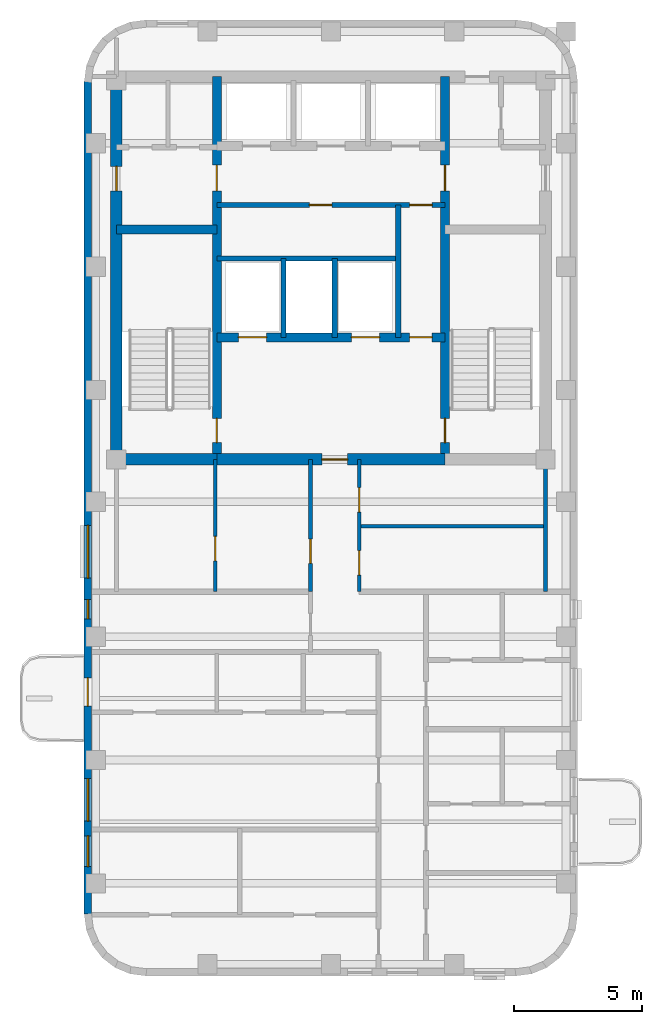
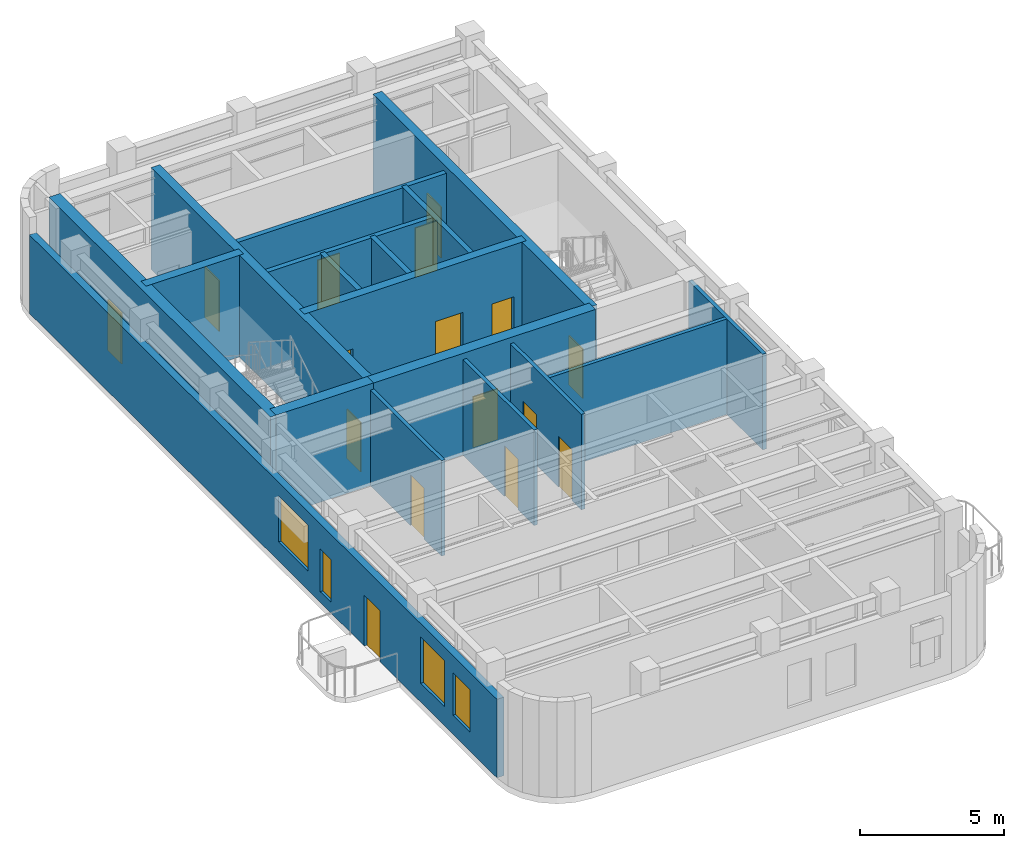
# One storey, part 3 of 6: 18 walls, 16 doors, 4 windows, 20 openings.
"""IFC4 building model written with IfcOpenShell, lengths in metres."""

from ifc_helpers import new_model, si_unit, direction, frame, frame_2d, origin, place, context, subcontext, project, spatial, rectangle, extrude, material, layer, layer_set, type_object, element, fill, save


model = new_model("IFC4")

# Units and contexts
model_context = context("Model", 3, precision=1e-05, world=origin(), true_north=direction((0.0, 1.0)))
body_context = subcontext(model_context, "Body", "Model", "MODEL_VIEW")
ifc_project = project(units=[si_unit("LENGTHUNIT", "METRE"), si_unit("AREAUNIT", "SQUARE_METRE"), si_unit("VOLUMEUNIT", "CUBIC_METRE"), si_unit("PLANEANGLEUNIT", "RADIAN"), si_unit("MASSUNIT", "GRAM", prefix="KILO")], contexts=[model_context])

# Site, building, storey
site_placement = place(None, origin())
site = spatial("IfcSite", under=ifc_project, at=site_placement, CompositionType="ELEMENT")
building_placement = place(site_placement, origin())
building = spatial("IfcBuilding", under=site, at=building_placement, Name="Orvandelia Arch Residences", CompositionType="ELEMENT")
storey_placement = place(building_placement, frame((0.0, 0.0, 265.60009765625)))
storey = spatial("IfcBuildingStorey", under=building, at=storey_placement, Name="L69", CompositionType="ELEMENT", Elevation=265.60009765625)

# Wall, openings, doors
ifc_material_1 = material(Name="Concrete C50/60", Category="concrete")
ifc_layer_1 = layer(ifc_material_1, 0.35009765625, Name="Concrete C50/60", Category="concrete")
ifc_layer_set_1 = layer_set([ifc_layer_1], Name="Concrete C50/60")
wall_type_1 = type_object("IfcWallType", Name="WL-CORE-350", PredefinedType="SHEAR", material=ifc_layer_set_1)
wall_1_placement = place(storey_placement, frame((9.9599609375, 30.89990234375, 0.0), z_axis=(0.0, 0.0, 1.0), x_axis=(0.0, 1.0, 0.0)))
wall_1 = element("IfcWall", 1, at=wall_1_placement, inside=storey, type_object=wall_type_1, Name="Core Shear Wall L69-WEB1", PredefinedType="SHEAR", context=body_context, shape_type="SweptSolid", body=[
    extrude(rectangle(XDim=14.900146484375, YDim=0.35009765625, at=frame_2d((7.4501953125, 0.0))), origin(), (0.0, 0.0, 1.0), 4.2998046875),
])
opening_1_placement = place(wall_1_placement, frame((0.64990234375, 0.0, 0.0)))
opening_1 = element("IfcOpeningElement", 2, at=opening_1_placement, cuts=wall_1, Name="Opening D7", PredefinedType="OPENING", context=body_context, shape_type="SweptSolid", body=[
    extrude(rectangle(XDim=0.949951171875, YDim=2.10009765625, at=frame_2d((0.47509765625, 1.050048828125))), frame((0.0, 0.18505859375, 0.0), z_axis=(0.0, -1.0, 0.0), x_axis=(1.0, 0.0, 0.0)), (0.0, 0.0, 1.0), 0.3701171875),
])
opening_2_placement = place(wall_1_placement, frame((10.449951171875, 0.0, 0.0)))
opening_2 = element("IfcOpeningElement", 3, at=opening_2_placement, cuts=wall_1, Name="Opening D6", PredefinedType="OPENING", context=body_context, shape_type="SweptSolid", body=[
    extrude(rectangle(XDim=1.0, YDim=2.14990234375, at=frame_2d((0.5, 1.074951171875))), frame((0.0, 0.18505859375, 0.0), z_axis=(0.0, -1.0, 0.0), x_axis=(1.0, 0.0, 0.0)), (0.0, 0.0, 1.0), 0.3701171875),
])
ifc_material_2 = material(Name="Smokeproof Painted Steel Fire Door", Category="steel")
door_type_1 = type_object("IfcDoorType", Name="DR-FD60-1000", OperationType="NOTDEFINED", PredefinedType="DOOR", material=ifc_material_2)
door_1_placement = place(opening_2_placement, origin())
door_1 = element("IfcDoor", 4, at=door_1_placement, inside=storey, type_object=door_type_1, Name="High-Rise Lift Hall West Vestibule Door L69", OperationType="SINGLE_SWING_LEFT", OverallHeight=2.14990234375, OverallWidth=1.0, PredefinedType="DOOR", context=body_context, shape_type="SweptSolid", body=[
    extrude(rectangle(XDim=1.0, YDim=2.14990234375, at=frame_2d((0.5, 1.074951171875))), frame((0.0, 0.02490234375, 0.0), z_axis=(0.0, -1.0, 0.0), x_axis=(1.0, 0.0, 0.0)), (0.0, 0.0, 1.0), 0.050048828125),
])
fill(opening_2, door_1)
ifc_material_3 = material(Name="Pressurised Stairwell Fire Door")
door_type_2 = type_object("IfcDoorType", Name="DR-STAIR-950", OperationType="NOTDEFINED", PredefinedType="DOOR", material=ifc_material_3)
door_2_placement = place(opening_1_placement, origin())
door_2 = element("IfcDoor", 5, at=door_2_placement, inside=storey, type_object=door_type_2, Name="Stairwell ST-1 Fire Door L69", OperationType="SINGLE_SWING_LEFT", OverallHeight=2.10009765625, OverallWidth=0.949951171875, PredefinedType="DOOR", context=body_context, shape_type="SweptSolid", body=[
    extrude(rectangle(XDim=0.949951171875, YDim=2.10009765625, at=frame_2d((0.47509765625, 1.050048828125))), frame((0.0, 0.02490234375, 0.0), z_axis=(0.0, -1.0, 0.0), x_axis=(1.0, 0.0, 0.0)), (0.0, 0.0, 1.0), 0.050048828125),
])
fill(opening_1, door_2)

wall_2_placement = place(storey_placement, frame((18.840087890625, 30.89990234375, 0.0), z_axis=(0.0, 0.0, 1.0), x_axis=(0.0, 1.0, 0.0)))
wall_2 = element("IfcWall", 6, at=wall_2_placement, inside=storey, type_object=wall_type_1, Name="Core Shear Wall L69-WEB2", PredefinedType="SHEAR", context=body_context, shape_type="SweptSolid", body=[
    extrude(rectangle(XDim=14.900146484375, YDim=0.35009765625, at=frame_2d((7.4501953125, 0.0))), origin(), (0.0, 0.0, 1.0), 4.2998046875),
])
opening_3_placement = place(wall_2_placement, frame((0.64990234375, 0.0, 0.0)))
opening_3 = element("IfcOpeningElement", 7, at=opening_3_placement, cuts=wall_2, Name="Opening D7", PredefinedType="OPENING", context=body_context, shape_type="SweptSolid", body=[
    extrude(rectangle(XDim=0.949951171875, YDim=2.10009765625, at=frame_2d((0.47509765625, 1.050048828125))), frame((0.0, 0.18505859375, 0.0), z_axis=(0.0, -1.0, 0.0), x_axis=(1.0, 0.0, 0.0)), (0.0, 0.0, 1.0), 0.3701171875),
])
opening_4_placement = place(wall_2_placement, frame((10.449951171875, 0.0, 0.0)))
opening_4 = element("IfcOpeningElement", 8, at=opening_4_placement, cuts=wall_2, Name="Opening D6", PredefinedType="OPENING", context=body_context, shape_type="SweptSolid", body=[
    extrude(rectangle(XDim=1.0, YDim=2.14990234375, at=frame_2d((0.5, 1.074951171875))), frame((0.0, 0.18505859375, 0.0), z_axis=(0.0, -1.0, 0.0), x_axis=(1.0, 0.0, 0.0)), (0.0, 0.0, 1.0), 0.3701171875),
])
door_3_placement = place(opening_4_placement, origin())
door_3 = element("IfcDoor", 9, at=door_3_placement, inside=storey, type_object=door_type_1, Name="High-Rise Lift Hall East Vestibule Door L69", OperationType="SINGLE_SWING_RIGHT", OverallHeight=2.14990234375, OverallWidth=1.0, PredefinedType="DOOR", context=body_context, shape_type="SweptSolid", body=[
    extrude(rectangle(XDim=1.0, YDim=2.14990234375, at=frame_2d((0.5, 1.074951171875))), frame((0.0, 0.02490234375, 0.0), z_axis=(0.0, -1.0, 0.0), x_axis=(1.0, 0.0, 0.0)), (0.0, 0.0, 1.0), 0.050048828125),
])
fill(opening_4, door_3)
door_4_placement = place(opening_3_placement, origin())
door_4 = element("IfcDoor", 10, at=door_4_placement, inside=storey, type_object=door_type_2, Name="Stairwell ST-2 Fire Door L69", OperationType="SINGLE_SWING_RIGHT", OverallHeight=2.10009765625, OverallWidth=0.949951171875, PredefinedType="DOOR", context=body_context, shape_type="SweptSolid", body=[
    extrude(rectangle(XDim=0.949951171875, YDim=2.10009765625, at=frame_2d((0.47509765625, 1.050048828125))), frame((0.0, 0.02490234375, 0.0), z_axis=(0.0, -1.0, 0.0), x_axis=(1.0, 0.0, 0.0)), (0.0, 0.0, 1.0), 0.050048828125),
])
fill(opening_3, door_4)

# Wall
wall_3_placement = place(storey_placement, frame((6.050048828125, 39.85009765625, 0.0), z_axis=(0.0, 0.0, 1.0), x_axis=(1.0, 0.0, 0.0)))
element("IfcWall", 11, at=wall_3_placement, inside=storey, type_object=wall_type_1, Name="Core Shear Wall L69-HZ1", PredefinedType="SHEAR", context=body_context, shape_type="SweptSolid", body=[
    extrude(rectangle(XDim=3.909912109375, YDim=0.35009765625, at=frame_2d((1.955078125, 0.0))), origin(), (0.0, 0.0, 1.0), 4.2998046875),
])

# Wall, openings, doors
wall_4_placement = place(storey_placement, frame((9.9599609375, 35.64990234375, 0.0), z_axis=(0.0, 0.0, 1.0), x_axis=(1.0, 0.0, 0.0)))
wall_4 = element("IfcWall", 12, at=wall_4_placement, inside=storey, type_object=wall_type_1, Name="Core Shear Wall L69-HZ3", PredefinedType="SHEAR", context=body_context, shape_type="SweptSolid", body=[
    extrude(rectangle(XDim=8.880126953125, YDim=0.35009765625, at=frame_2d((4.43994140625, 0.0))), origin(), (0.0, 0.0, 1.0), 4.2998046875),
])
opening_5_placement = place(wall_4_placement, frame((0.840087890625, 0.0, 0.0)))
opening_5 = element("IfcOpeningElement", 13, at=opening_5_placement, cuts=wall_4, Name="Opening FLD", PredefinedType="OPENING", context=body_context, shape_type="SweptSolid", body=[
    extrude(rectangle(XDim=1.10009765625, YDim=2.14990234375, at=frame_2d((0.550048828125, 1.074951171875))), frame((0.0, 0.18505859375, 0.0), z_axis=(0.0, -1.0, 0.0), x_axis=(1.0, 0.0, 0.0)), (0.0, 0.0, 1.0), 0.3701171875),
])
opening_6_placement = place(wall_4_placement, frame((5.239990234375, 0.0, 0.0)))
opening_6 = element("IfcOpeningElement", 14, at=opening_6_placement, cuts=wall_4, Name="Opening FLD", PredefinedType="OPENING", context=body_context, shape_type="SweptSolid", body=[
    extrude(rectangle(XDim=1.10009765625, YDim=2.14990234375, at=frame_2d((0.550048828125, 1.074951171875))), frame((0.0, 0.18505859375, 0.0), z_axis=(0.0, -1.0, 0.0), x_axis=(1.0, 0.0, 0.0)), (0.0, 0.0, 1.0), 0.3701171875),
])
opening_7_placement = place(wall_4_placement, frame((7.5, 0.0, 0.0)))
opening_7 = element("IfcOpeningElement", 15, at=opening_7_placement, cuts=wall_4, Name="Opening D5", PredefinedType="OPENING", context=body_context, shape_type="SweptSolid", body=[
    extrude(rectangle(XDim=0.8798828125, YDim=2.10009765625, at=frame_2d((0.43994140625, 1.050048828125))), frame((0.0, 0.18505859375, 0.0), z_axis=(0.0, -1.0, 0.0), x_axis=(1.0, 0.0, 0.0)), (0.0, 0.0, 1.0), 0.3701171875),
])
ifc_material_4 = material(Name="Firefighting Lift Stainless Sliding Door")
door_type_3 = type_object("IfcDoorType", Name="DR-FLFT-1100", OperationType="NOTDEFINED", PredefinedType="DOOR", material=ifc_material_4)
door_5_placement = place(opening_5_placement, origin())
door_5 = element("IfcDoor", 16, at=door_5_placement, inside=storey, type_object=door_type_3, Name="Firefighting Lift Landing Door FLD-FL1-L69", OperationType="SLIDING_TO_LEFT", OverallHeight=2.14990234375, OverallWidth=1.10009765625, PredefinedType="DOOR", context=body_context, shape_type="SweptSolid", body=[
    extrude(rectangle(XDim=1.10009765625, YDim=2.14990234375, at=frame_2d((0.550048828125, 1.074951171875))), frame((0.0, 0.02490234375, 0.0), z_axis=(0.0, -1.0, 0.0), x_axis=(1.0, 0.0, 0.0)), (0.0, 0.0, 1.0), 0.050048828125),
])
fill(opening_5, door_5)
door_6_placement = place(opening_6_placement, origin())
door_6 = element("IfcDoor", 17, at=door_6_placement, inside=storey, type_object=door_type_3, Name="Firefighting Lift Landing Door FLD-FL2-L69", OperationType="SLIDING_TO_RIGHT", OverallHeight=2.14990234375, OverallWidth=1.10009765625, PredefinedType="DOOR", context=body_context, shape_type="SweptSolid", body=[
    extrude(rectangle(XDim=1.10009765625, YDim=2.14990234375, at=frame_2d((0.550048828125, 1.074951171875))), frame((0.0, 0.02490234375, 0.0), z_axis=(0.0, -1.0, 0.0), x_axis=(1.0, 0.0, 0.0)), (0.0, 0.0, 1.0), 0.050048828125),
])
fill(opening_6, door_6)
ifc_material_5 = material(Name="Painted Galvanised Steel Service Door", Category="steel")
door_type_4 = type_object("IfcDoorType", Name="DR-SRV-880", OperationType="NOTDEFINED", PredefinedType="DOOR", material=ifc_material_5)
door_7_placement = place(opening_7_placement, origin())
door_7 = element("IfcDoor", 18, at=door_7_placement, inside=storey, type_object=door_type_4, Name="Core Stairway Passage South Fire Door L69", OperationType="SINGLE_SWING_LEFT", OverallHeight=2.10009765625, OverallWidth=0.8798828125, PredefinedType="DOOR", context=body_context, shape_type="SweptSolid", body=[
    extrude(rectangle(XDim=0.8798828125, YDim=2.10009765625, at=frame_2d((0.43994140625, 1.050048828125))), frame((0.0, 0.02490234375, 0.0), z_axis=(0.0, -1.0, 0.0), x_axis=(1.0, 0.0, 0.0)), (0.0, 0.0, 1.0), 0.050048828125),
])
fill(opening_7, door_7)

# Wall, opening, door
ifc_layer_2 = layer(ifc_material_1, 0.449951171875, Name="Concrete C50/60", Category="concrete")
ifc_layer_set_2 = layer_set([ifc_layer_2], Name="Concrete C50/60")
wall_type_2 = type_object("IfcWallType", Name="WL-CORE-450", PredefinedType="SHEAR", material=ifc_layer_set_2)
wall_5_placement = place(storey_placement, frame((6.050048828125, 30.675048828125, 0.0), z_axis=(0.0, 0.0, 1.0), x_axis=(0.0, 1.0, 0.0)))
wall_5 = element("IfcWall", 19, at=wall_5_placement, inside=storey, type_object=wall_type_2, Name="Core Shear Wall L69-W", PredefinedType="SHEAR", context=body_context, shape_type="SweptSolid", body=[
    extrude(rectangle(XDim=15.349853515625, YDim=0.449951171875, at=frame_2d((7.6748046875, 0.0))), origin(), (0.0, 0.0, 1.0), 4.2998046875),
])
opening_8_placement = place(wall_5_placement, frame((10.675048828125, 0.0, 0.0)))
opening_8 = element("IfcOpeningElement", 20, at=opening_8_placement, cuts=wall_5, Name="Opening D2", PredefinedType="OPENING", context=body_context, shape_type="SweptSolid", body=[
    extrude(rectangle(XDim=0.949951171875, YDim=2.14990234375, at=frame_2d((0.47509765625, 1.074951171875))), frame((0.0, 0.23486328125, 0.0), z_axis=(0.0, -1.0, 0.0), x_axis=(1.0, 0.0, 0.0)), (0.0, 0.0, 1.0), 0.469970703125),
])
ifc_material_6 = material(Name="Solid-Core Timber Interior Fire Door", Category="wood")
door_type_5 = type_object("IfcDoorType", Name="DR-APT-950", OperationType="NOTDEFINED", PredefinedType="DOOR", material=ifc_material_6)
door_8_placement = place(opening_8_placement, origin())
door_8 = element("IfcDoor", 21, at=door_8_placement, inside=storey, type_object=door_type_5, Name="West Viewing Study Door L69", OperationType="SINGLE_SWING_RIGHT", OverallHeight=2.14990234375, OverallWidth=0.949951171875, PredefinedType="DOOR", context=body_context, shape_type="SweptSolid", body=[
    extrude(rectangle(XDim=0.949951171875, YDim=2.14990234375, at=frame_2d((0.47509765625, 1.074951171875))), frame((0.0, 0.02490234375, 0.0), z_axis=(0.0, -1.0, 0.0), x_axis=(1.0, 0.0, 0.0)), (0.0, 0.0, 1.0), 0.050048828125),
])
fill(opening_8, door_8)

# Wall
wall_6_placement = place(storey_placement, frame((6.050048828125, 30.89990234375, 0.0), z_axis=(0.0, 0.0, 1.0), x_axis=(1.0, 0.0, 0.0)))
element("IfcWall", 22, at=wall_6_placement, inside=storey, type_object=wall_type_2, Name="Core Shear Wall L69-SW", PredefinedType="SHEAR", context=body_context, shape_type="SweptSolid", body=[
    extrude(rectangle(XDim=3.909912109375, YDim=0.449951171875, at=frame_2d((1.955078125, 0.0))), origin(), (0.0, 0.0, 1.0), 4.2998046875),
])

# Wall, opening, door
wall_7_placement = place(storey_placement, frame((9.9599609375, 30.89990234375, 0.0), z_axis=(0.0, 0.0, 1.0), x_axis=(1.0, 0.0, 0.0)))
wall_7 = element("IfcWall", 23, at=wall_7_placement, inside=storey, type_object=wall_type_2, Name="Core Shear Wall L69-SM", PredefinedType="SHEAR", context=body_context, shape_type="SweptSolid", body=[
    extrude(rectangle(XDim=8.880126953125, YDim=0.449951171875, at=frame_2d((4.43994140625, 0.0))), origin(), (0.0, 0.0, 1.0), 4.2998046875),
])
opening_9_placement = place(wall_7_placement, frame((4.090087890625, 0.0, 0.0)))
opening_9 = element("IfcOpeningElement", 24, at=opening_9_placement, cuts=wall_7, Name="Opening D6", PredefinedType="OPENING", context=body_context, shape_type="SweptSolid", body=[
    extrude(rectangle(XDim=1.0, YDim=2.14990234375, at=frame_2d((0.5, 1.074951171875))), frame((0.0, 0.23486328125, 0.0), z_axis=(0.0, -1.0, 0.0), x_axis=(1.0, 0.0, 0.0)), (0.0, 0.0, 1.0), 0.469970703125),
])
door_9_placement = place(opening_9_placement, origin())
door_9 = element("IfcDoor", 25, at=door_9_placement, inside=storey, type_object=door_type_1, Name="Firefighting Lobby Smokeproof Door L69", OperationType="SINGLE_SWING_LEFT", OverallHeight=2.14990234375, OverallWidth=1.0, PredefinedType="DOOR", context=body_context, shape_type="SweptSolid", body=[
    extrude(rectangle(XDim=1.0, YDim=2.14990234375, at=frame_2d((0.5, 1.074951171875))), frame((0.0, 0.02490234375, 0.0), z_axis=(0.0, -1.0, 0.0), x_axis=(1.0, 0.0, 0.0)), (0.0, 0.0, 1.0), 0.050048828125),
])
fill(opening_9, door_9)

# Wall, openings, door, windows
ifc_material_7 = material(Name="Precast concrete C40/50", Category="concrete")
ifc_layer_3 = layer(ifc_material_7, 0.280029296875, Name="Precast concrete C40/50", Category="concrete")
ifc_layer_set_3 = layer_set([ifc_layer_3], Name="Precast concrete C40/50")
wall_type_3 = type_object("IfcWallType", Name="WL-EXT-STONE-280", PredefinedType="STANDARD", material=ifc_layer_set_3)
wall_8_placement = place(storey_placement, frame((4.93994140625, 13.199951171875, 0.0), z_axis=(0.0, 0.0, 1.0), x_axis=(0.0, 1.0, 0.0)))
wall_8 = element("IfcWall", 26, at=wall_8_placement, inside=storey, type_object=wall_type_3, Name="Coral-Limestone Precast Facade Wall L69-028", PredefinedType="STANDARD", context=body_context, shape_type="SweptSolid", body=[
    extrude(rectangle(XDim=32.400146484375, YDim=0.280029296875, at=frame_2d((16.2001953125, 0.0))), origin(), (0.0, 0.0, 1.0), 3.31982421875),
])
opening_10_placement = place(wall_8_placement, frame((8.10009765625, 0.0, 0.0)))
opening_10 = element("IfcOpeningElement", 27, at=opening_10_placement, cuts=wall_8, Name="Opening BD1", PredefinedType="OPENING", context=body_context, shape_type="SweptSolid", body=[
    extrude(rectangle(XDim=1.10009765625, YDim=2.14990234375, at=frame_2d((0.550048828125, 1.074951171875))), frame((0.0, 0.14990234375, 0.0), z_axis=(0.0, -1.0, 0.0), x_axis=(1.0, 0.0, 0.0)), (0.0, 0.0, 1.0), 0.300048828125),
])
opening_11_placement = place(wall_8_placement, frame((1.847412109375, 0.0, 0.800048828125)))
opening_11 = element("IfcOpeningElement", 28, at=opening_11_placement, cuts=wall_8, Name="Opening W3", PredefinedType="OPENING", context=body_context, shape_type="SweptSolid", body=[
    extrude(rectangle(XDim=1.199951171875, YDim=1.800048828125, at=frame_2d((0.60009765625, 0.89990234375))), frame((0.0, 0.14990234375, 0.0), z_axis=(0.0, -1.0, 0.0), x_axis=(1.0, 0.0, 0.0)), (0.0, 0.0, 1.0), 0.300048828125),
])
opening_12_placement = place(wall_8_placement, frame((3.62744140625, 0.0, 0.800048828125)))
opening_12 = element("IfcOpeningElement", 29, at=opening_12_placement, cuts=wall_8, Name="Opening W9", PredefinedType="OPENING", context=body_context, shape_type="SweptSolid", body=[
    extrude(rectangle(XDim=1.64990234375, YDim=1.949951171875, at=frame_2d((0.824951171875, 0.97509765625))), frame((0.0, 0.14990234375, 0.0), z_axis=(0.0, -1.0, 0.0), x_axis=(1.0, 0.0, 0.0)), (0.0, 0.0, 1.0), 0.300048828125),
])
opening_13_placement = place(wall_8_placement, frame((13.08251953125, 0.0, 0.800048828125)))
opening_13 = element("IfcOpeningElement", 30, at=opening_13_placement, cuts=wall_8, Name="Opening W8", PredefinedType="OPENING", context=body_context, shape_type="SweptSolid", body=[
    extrude(rectangle(XDim=2.050048828125, YDim=1.949951171875, at=frame_2d((1.02490234375, 0.97509765625))), frame((0.0, 0.14990234375, 0.0), z_axis=(0.0, -1.0, 0.0), x_axis=(1.0, 0.0, 0.0)), (0.0, 0.0, 1.0), 0.300048828125),
])
opening_14_placement = place(wall_8_placement, frame((11.492431640625, 0.0, 0.449951171875)))
opening_14 = element("IfcOpeningElement", 31, at=opening_14_placement, cuts=wall_8, Name="Opening W11", PredefinedType="OPENING", context=body_context, shape_type="SweptSolid", body=[
    extrude(rectangle(XDim=0.75, YDim=1.800048828125, at=frame_2d((0.375, 0.89990234375))), frame((0.0, 0.14990234375, 0.0), z_axis=(0.0, -1.0, 0.0), x_axis=(1.0, 0.0, 0.0)), (0.0, 0.0, 1.0), 0.300048828125),
])
ifc_material_8 = material(Name="Thermally Broken Aluminium Glazed Door", Category="aluminium")
door_type_6 = type_object("IfcDoorType", Name="DR-BAL-GLAZ-1100", OperationType="NOTDEFINED", PredefinedType="DOOR", material=ifc_material_8)
door_10_placement = place(opening_10_placement, origin())
door_10 = element("IfcDoor", 32, at=door_10_placement, inside=storey, type_object=door_type_6, Name="Tree Balcony Glazed Door BAL-L69-W1", OperationType="SINGLE_SWING_RIGHT", OverallHeight=2.14990234375, OverallWidth=1.10009765625, PredefinedType="DOOR", context=body_context, shape_type="SweptSolid", body=[
    extrude(rectangle(XDim=1.10009765625, YDim=2.14990234375, at=frame_2d((0.550048828125, 1.074951171875))), frame((0.0, 0.02490234375, 0.0), z_axis=(0.0, -1.0, 0.0), x_axis=(1.0, 0.0, 0.0)), (0.0, 0.0, 1.0), 0.050048828125),
])
fill(opening_10, door_10)
ifc_material_9 = material(Name="Tempered Low-E Insulated Glazing", Category="glass")
window_type_1 = type_object("IfcWindowType", Name="WIN-BED-0750x1800", PartitioningType="SINGLE_PANEL", PredefinedType="WINDOW", material=ifc_material_9)
window_1_placement = place(opening_14_placement, origin())
window_1 = element("IfcWindow", 33, at=window_1_placement, inside=storey, type_object=window_type_1, Name="Recessed Punched Window L69-013", OverallHeight=1.800048828125, OverallWidth=0.75, PartitioningType="SINGLE_PANEL", PredefinedType="WINDOW", context=body_context, shape_type="SweptSolid", body=[
    extrude(rectangle(XDim=0.75, YDim=1.800048828125, at=frame_2d((0.375, 0.89990234375))), frame((0.0, 0.030029296875, 0.0), z_axis=(0.0, -1.0, 0.0), x_axis=(1.0, 0.0, 0.0)), (0.0, 0.0, 1.0), 0.06005859375),
])
fill(opening_14, window_1)
window_type_2 = type_object("IfcWindowType", Name="WIN-RES-1200x1800", PartitioningType="SINGLE_PANEL", PredefinedType="WINDOW", material=ifc_material_9)
window_2_placement = place(opening_11_placement, origin())
window_2 = element("IfcWindow", 34, at=window_2_placement, inside=storey, type_object=window_type_2, Name="Recessed Punched Window L69-010", OverallHeight=1.800048828125, OverallWidth=1.199951171875, PartitioningType="SINGLE_PANEL", PredefinedType="WINDOW", context=body_context, shape_type="SweptSolid", body=[
    extrude(rectangle(XDim=1.199951171875, YDim=1.800048828125, at=frame_2d((0.60009765625, 0.89990234375))), frame((0.0, 0.030029296875, 0.0), z_axis=(0.0, -1.0, 0.0), x_axis=(1.0, 0.0, 0.0)), (0.0, 0.0, 1.0), 0.06005859375),
])
fill(opening_11, window_2)
window_type_3 = type_object("IfcWindowType", Name="WIN-UPP-1650x1950", PartitioningType="SINGLE_PANEL", PredefinedType="WINDOW", material=ifc_material_9)
window_3_placement = place(opening_12_placement, origin())
window_3 = element("IfcWindow", 35, at=window_3_placement, inside=storey, type_object=window_type_3, Name="Recessed Punched Window L69-011", OverallHeight=1.949951171875, OverallWidth=1.64990234375, PartitioningType="SINGLE_PANEL", PredefinedType="WINDOW", context=body_context, shape_type="SweptSolid", body=[
    extrude(rectangle(XDim=1.64990234375, YDim=1.949951171875, at=frame_2d((0.824951171875, 0.97509765625))), frame((0.0, 0.030029296875, 0.0), z_axis=(0.0, -1.0, 0.0), x_axis=(1.0, 0.0, 0.0)), (0.0, 0.0, 1.0), 0.06005859375),
])
fill(opening_12, window_3)
window_type_4 = type_object("IfcWindowType", Name="WIN-UPP-2050x1950", PartitioningType="SINGLE_PANEL", PredefinedType="WINDOW", material=ifc_material_9)
window_4_placement = place(opening_13_placement, origin())
window_4 = element("IfcWindow", 36, at=window_4_placement, inside=storey, type_object=window_type_4, Name="Recessed Punched Window L69-012", OverallHeight=1.949951171875, OverallWidth=2.050048828125, PartitioningType="SINGLE_PANEL", PredefinedType="WINDOW", context=body_context, shape_type="SweptSolid", body=[
    extrude(rectangle(XDim=2.050048828125, YDim=1.949951171875, at=frame_2d((1.02490234375, 0.97509765625))), frame((0.0, 0.030029296875, 0.0), z_axis=(0.0, -1.0, 0.0), x_axis=(1.0, 0.0, 0.0)), (0.0, 0.0, 1.0), 0.06005859375),
])
fill(opening_13, window_4)

# Wall, opening, door
ifc_material_10 = material(Name="Acoustic Gypsum Stud Partition")
ifc_layer_4 = layer(ifc_material_10, 0.14990234375, Name="Acoustic Gypsum Stud Partition")
ifc_layer_set_4 = layer_set([ifc_layer_4], Name="Acoustic Gypsum Stud Partition")
wall_type_4 = type_object("IfcWallType", Name="WL-PART-150", PredefinedType="PARTITIONING", material=ifc_layer_set_4)
wall_9_placement = place(storey_placement, frame((13.60009765625, 25.75, 0.0), z_axis=(0.0, 0.0, 1.0), x_axis=(0.0, 1.0, 0.0)))
wall_9 = element("IfcWall", 37, at=wall_9_placement, inside=storey, type_object=wall_type_4, Name="Interior Partition Wall WL-L69-HI-W1", PredefinedType="PARTITIONING", context=body_context, shape_type="SweptSolid", body=[
    extrude(rectangle(XDim=5.14990234375, YDim=0.14990234375, at=frame_2d((2.574951171875, 0.0))), origin(), (0.0, 0.0, 1.0), 4.039794921875),
])
opening_15_placement = place(wall_9_placement, frame((1.10009765625, 0.0, 0.0)))
opening_15 = element("IfcOpeningElement", 38, at=opening_15_placement, cuts=wall_9, Name="Opening D2", PredefinedType="OPENING", context=body_context, shape_type="SweptSolid", body=[
    extrude(rectangle(XDim=0.949951171875, YDim=2.14990234375, at=frame_2d((0.47509765625, 1.074951171875))), frame((0.0, 0.0849609375, 0.0), z_axis=(0.0, -1.0, 0.0), x_axis=(1.0, 0.0, 0.0)), (0.0, 0.0, 1.0), 0.169921875),
])
door_11_placement = place(opening_15_placement, origin())
door_11 = element("IfcDoor", 39, at=door_11_placement, inside=storey, type_object=door_type_5, Name="DR-L69-HIR1B", OperationType="SINGLE_SWING_LEFT", OverallHeight=2.14990234375, OverallWidth=0.949951171875, PredefinedType="DOOR", context=body_context, shape_type="SweptSolid", body=[
    extrude(rectangle(XDim=0.949951171875, YDim=2.14990234375, at=frame_2d((0.47509765625, 1.074951171875))), frame((0.0, 0.02490234375, 0.0), z_axis=(0.0, -1.0, 0.0), x_axis=(1.0, 0.0, 0.0)), (0.0, 0.0, 1.0), 0.050048828125),
])
fill(opening_15, door_11)

# Wall, openings, doors
wall_10_placement = place(storey_placement, frame((15.5, 25.75, 0.0), z_axis=(0.0, 0.0, 1.0), x_axis=(0.0, 1.0, 0.0)))
wall_10 = element("IfcWall", 40, at=wall_10_placement, inside=storey, type_object=wall_type_4, Name="Interior Partition Wall WL-L69-HI-W2", PredefinedType="PARTITIONING", context=body_context, shape_type="SweptSolid", body=[
    extrude(rectangle(XDim=5.14990234375, YDim=0.14990234375, at=frame_2d((2.574951171875, 0.0))), origin(), (0.0, 0.0, 1.0), 4.039794921875),
])
opening_16_placement = place(wall_10_placement, frame((0.64990234375, 0.0, 0.0)))
opening_16 = element("IfcOpeningElement", 41, at=opening_16_placement, cuts=wall_10, Name="Opening D2", PredefinedType="OPENING", context=body_context, shape_type="SweptSolid", body=[
    extrude(rectangle(XDim=0.949951171875, YDim=2.14990234375, at=frame_2d((0.47509765625, 1.074951171875))), frame((0.0, 0.0849609375, 0.0), z_axis=(0.0, -1.0, 0.0), x_axis=(1.0, 0.0, 0.0)), (0.0, 0.0, 1.0), 0.169921875),
])
opening_17_placement = place(wall_10_placement, frame((3.10009765625, 0.0, 0.0)))
opening_17 = element("IfcOpeningElement", 42, at=opening_17_placement, cuts=wall_10, Name="Opening D2", PredefinedType="OPENING", context=body_context, shape_type="SweptSolid", body=[
    extrude(rectangle(XDim=0.949951171875, YDim=2.14990234375, at=frame_2d((0.47509765625, 1.074951171875))), frame((0.0, 0.0849609375, 0.0), z_axis=(0.0, -1.0, 0.0), x_axis=(1.0, 0.0, 0.0)), (0.0, 0.0, 1.0), 0.169921875),
])
door_12_placement = place(opening_16_placement, origin())
door_12 = element("IfcDoor", 43, at=door_12_placement, inside=storey, type_object=door_type_5, Name="DR-L69-HIR2S", OperationType="SINGLE_SWING_RIGHT", OverallHeight=2.14990234375, OverallWidth=0.949951171875, PredefinedType="DOOR", context=body_context, shape_type="SweptSolid", body=[
    extrude(rectangle(XDim=0.949951171875, YDim=2.14990234375, at=frame_2d((0.47509765625, 1.074951171875))), frame((0.0, 0.02490234375, 0.0), z_axis=(0.0, -1.0, 0.0), x_axis=(1.0, 0.0, 0.0)), (0.0, 0.0, 1.0), 0.050048828125),
])
fill(opening_16, door_12)
door_13_placement = place(opening_17_placement, origin())
door_13 = element("IfcDoor", 44, at=door_13_placement, inside=storey, type_object=door_type_5, Name="DR-L69-HIR2N", OperationType="SINGLE_SWING_LEFT", OverallHeight=2.14990234375, OverallWidth=0.949951171875, PredefinedType="DOOR", context=body_context, shape_type="SweptSolid", body=[
    extrude(rectangle(XDim=0.949951171875, YDim=2.14990234375, at=frame_2d((0.47509765625, 1.074951171875))), frame((0.0, 0.02490234375, 0.0), z_axis=(0.0, -1.0, 0.0), x_axis=(1.0, 0.0, 0.0)), (0.0, 0.0, 1.0), 0.050048828125),
])
fill(opening_17, door_13)

# Wall
wall_11_placement = place(storey_placement, frame((22.75, 25.75, 0.0), z_axis=(0.0, 0.0, 1.0), x_axis=(0.0, 1.0, 0.0)))
element("IfcWall", 45, at=wall_11_placement, inside=storey, type_object=wall_type_4, Name="Interior Partition Wall WL-L69-HI-WE", PredefinedType="PARTITIONING", context=body_context, shape_type="SweptSolid", body=[
    extrude(rectangle(XDim=5.14990234375, YDim=0.14990234375, at=frame_2d((2.574951171875, 0.0))), origin(), (0.0, 0.0, 1.0), 4.039794921875),
])

# Wall, opening, door
wall_12_placement = place(storey_placement, frame((9.89990234375, 25.75, 0.0), z_axis=(0.0, 0.0, 1.0), x_axis=(0.0, 1.0, 0.0)))
wall_12 = element("IfcWall", 46, at=wall_12_placement, inside=storey, type_object=wall_type_4, Name="Interior Partition Wall WL-L69-HIR-M1", PredefinedType="PARTITIONING", context=body_context, shape_type="SweptSolid", body=[
    extrude(rectangle(XDim=5.14990234375, YDim=0.14990234375, at=frame_2d((2.574951171875, 0.0))), origin(), (0.0, 0.0, 1.0), 4.039794921875),
])
opening_18_placement = place(wall_12_placement, frame((1.199951171875, 0.0, 0.0)))
opening_18 = element("IfcOpeningElement", 47, at=opening_18_placement, cuts=wall_12, Name="Opening D2", PredefinedType="OPENING", context=body_context, shape_type="SweptSolid", body=[
    extrude(rectangle(XDim=0.949951171875, YDim=2.14990234375, at=frame_2d((0.47509765625, 1.074951171875))), frame((0.0, 0.0849609375, 0.0), z_axis=(0.0, -1.0, 0.0), x_axis=(1.0, 0.0, 0.0)), (0.0, 0.0, 1.0), 0.169921875),
])
door_14_placement = place(opening_18_placement, origin())
door_14 = element("IfcDoor", 48, at=door_14_placement, inside=storey, type_object=door_type_5, Name="DR-L69-HIR1A", OperationType="SINGLE_SWING_RIGHT", OverallHeight=2.14990234375, OverallWidth=0.949951171875, PredefinedType="DOOR", context=body_context, shape_type="SweptSolid", body=[
    extrude(rectangle(XDim=0.949951171875, YDim=2.14990234375, at=frame_2d((0.47509765625, 1.074951171875))), frame((0.0, 0.02490234375, 0.0), z_axis=(0.0, -1.0, 0.0), x_axis=(1.0, 0.0, 0.0)), (0.0, 0.0, 1.0), 0.050048828125),
])
fill(opening_18, door_14)

# Walls
wall_13_placement = place(storey_placement, frame((15.5, 28.300048828125, 0.0), z_axis=(0.0, 0.0, 1.0), x_axis=(1.0, 0.0, 0.0)))
element("IfcWall", 49, at=wall_13_placement, inside=storey, type_object=wall_type_4, Name="Interior Partition Wall WL-L69-HIR-H2", PredefinedType="PARTITIONING", context=body_context, shape_type="SweptSolid", body=[
    extrude(rectangle(XDim=7.25, YDim=0.14990234375, at=frame_2d((3.625, 0.0))), origin(), (0.0, 0.0, 1.0), 4.039794921875),
])
ifc_material_11 = material(Name="Fire-Rated Shaft Enclosure Wall")
ifc_layer_5 = layer(ifc_material_11, 0.199951171875, Name="Fire-Rated Shaft Enclosure Wall")
ifc_layer_set_5 = layer_set([ifc_layer_5], Name="Fire-Rated Shaft Enclosure Wall")
wall_type_5 = type_object("IfcWallType", Name="WL-SHAFT-200", PredefinedType="POLYGONAL", material=ifc_layer_set_5)
wall_14_placement = place(storey_placement, frame((9.9599609375, 38.719970703125, 0.0), z_axis=(0.0, 0.0, 1.0), x_axis=(1.0, 0.0, 0.0)))
element("IfcWall", 50, at=wall_14_placement, inside=storey, type_object=wall_type_5, Name="Interior Partition Wall WL-L69-FLN", PredefinedType="POLYGONAL", context=body_context, shape_type="SweptSolid", body=[
    extrude(rectangle(XDim=7.06005859375, YDim=0.199951171875, at=frame_2d((3.530029296875, 0.0))), origin(), (0.0, 0.0, 1.0), 4.039794921875),
])
for number, where, z_axis, x_axis, name in (
    (51, (12.550048828125, 35.64990234375, 0.0), (0.0, 0.0, 1.0), (0.0, 1.0, 0.0), "Interior Partition Wall WL-L69-FLM1"),
    (52, (14.550048828125, 35.64990234375, 0.0), (0.0, 0.0, 1.0), (0.0, 1.0, 0.0), "Interior Partition Wall WL-L69-FLM2"),
):
    element("IfcWall", number, at=place(storey_placement, frame(where, z_axis=z_axis, x_axis=x_axis)), inside=storey, type_object=wall_type_5, Name=name, PredefinedType="POLYGONAL", context=body_context, shape_type="SweptSolid", body=[
        extrude(rectangle(XDim=3.070068359375, YDim=0.199951171875, at=frame_2d((1.53515625, 0.0))), origin(), (0.0, 0.0, 1.0), 4.039794921875),
    ])
wall_15_placement = place(storey_placement, frame((17.02001953125, 35.64990234375, 0.0), z_axis=(0.0, 0.0, 1.0), x_axis=(0.0, 1.0, 0.0)))
element("IfcWall", 53, at=wall_15_placement, inside=storey, type_object=wall_type_5, Name="Interior Partition Wall WL-L69-FLM3", PredefinedType="POLYGONAL", context=body_context, shape_type="SweptSolid", body=[
    extrude(rectangle(XDim=5.150146484375, YDim=0.199951171875, at=frame_2d((2.5751953125, 0.0))), origin(), (0.0, 0.0, 1.0), 4.039794921875),
])

# Wall, openings, doors
wall_16_placement = place(storey_placement, frame((9.9599609375, 40.800048828125, 0.0), z_axis=(0.0, 0.0, 1.0), x_axis=(1.0, 0.0, 0.0)))
wall_16 = element("IfcWall", 54, at=wall_16_placement, inside=storey, type_object=wall_type_5, Name="Interior Partition Wall WL-L69-HLH-S", PredefinedType="POLYGONAL", context=body_context, shape_type="SweptSolid", body=[
    extrude(rectangle(XDim=8.880126953125, YDim=0.199951171875, at=frame_2d((4.43994140625, 0.0))), origin(), (0.0, 0.0, 1.0), 4.039794921875),
])
opening_19_placement = place(wall_16_placement, frame((7.5, 0.0, 0.0)))
opening_19 = element("IfcOpeningElement", 55, at=opening_19_placement, cuts=wall_16, Name="Opening D5", PredefinedType="OPENING", context=body_context, shape_type="SweptSolid", body=[
    extrude(rectangle(XDim=0.8798828125, YDim=2.10009765625, at=frame_2d((0.43994140625, 1.050048828125))), frame((0.0, 0.10986328125, 0.0), z_axis=(0.0, -1.0, 0.0), x_axis=(1.0, 0.0, 0.0)), (0.0, 0.0, 1.0), 0.219970703125),
])
opening_20_placement = place(wall_16_placement, frame((3.60009765625, 0.0, 0.0)))
opening_20 = element("IfcOpeningElement", 56, at=opening_20_placement, cuts=wall_16, Name="Opening D5", PredefinedType="OPENING", context=body_context, shape_type="SweptSolid", body=[
    extrude(rectangle(XDim=0.8798828125, YDim=2.10009765625, at=frame_2d((0.43994140625, 1.050048828125))), frame((0.0, 0.10986328125, 0.0), z_axis=(0.0, -1.0, 0.0), x_axis=(1.0, 0.0, 0.0)), (0.0, 0.0, 1.0), 0.219970703125),
])
door_15_placement = place(opening_19_placement, origin())
door_15 = element("IfcDoor", 57, at=door_15_placement, inside=storey, type_object=door_type_4, Name="Core Stairway Passage North Fire Door L69", OperationType="SINGLE_SWING_RIGHT", OverallHeight=2.10009765625, OverallWidth=0.8798828125, PredefinedType="DOOR", context=body_context, shape_type="SweptSolid", body=[
    extrude(rectangle(XDim=0.8798828125, YDim=2.10009765625, at=frame_2d((0.43994140625, 1.050048828125))), frame((0.0, 0.02490234375, 0.0), z_axis=(0.0, -1.0, 0.0), x_axis=(1.0, 0.0, 0.0)), (0.0, 0.0, 1.0), 0.050048828125),
])
fill(opening_19, door_15)
door_16_placement = place(opening_20_placement, origin())
door_16 = element("IfcDoor", 58, at=door_16_placement, inside=storey, type_object=door_type_4, Name="DR-L69-CSA1", OperationType="SINGLE_SWING_LEFT", OverallHeight=2.10009765625, OverallWidth=0.8798828125, PredefinedType="DOOR", context=body_context, shape_type="SweptSolid", body=[
    extrude(rectangle(XDim=0.8798828125, YDim=2.10009765625, at=frame_2d((0.43994140625, 1.050048828125))), frame((0.0, 0.02490234375, 0.0), z_axis=(0.0, -1.0, 0.0), x_axis=(1.0, 0.0, 0.0)), (0.0, 0.0, 1.0), 0.050048828125),
])
fill(opening_20, door_16)

save(model, "model.ifc")
